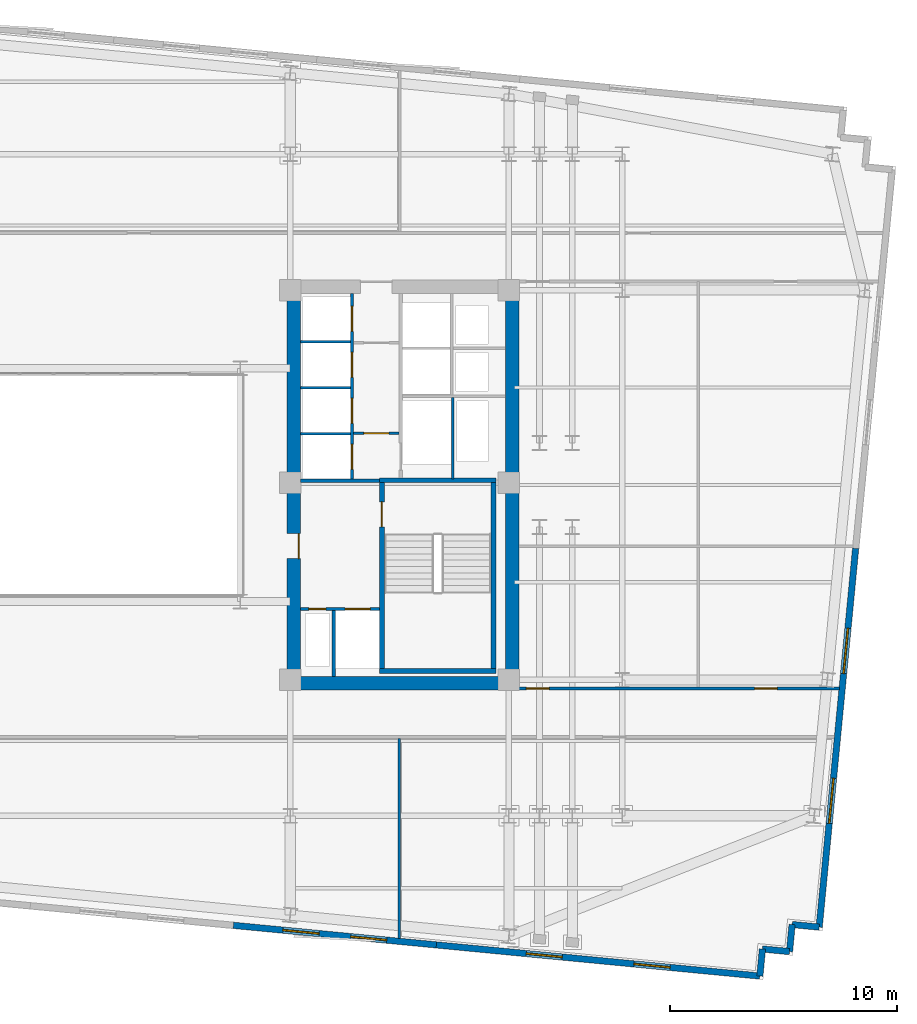
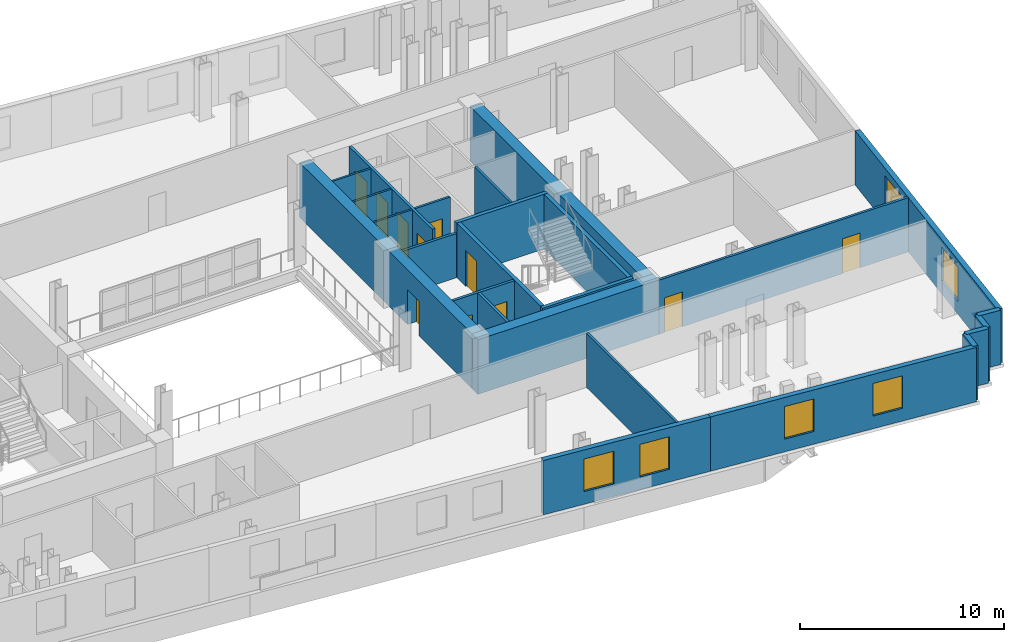
# One storey, part 6 of 11: 25 walls, 11 doors, 6 windows, 17 openings.
"""IFC4 building model written with IfcOpenShell, lengths in metres."""

from ifc_helpers import new_model, si_unit, direction, frame, frame_2d, origin, place, context, subcontext, project, spatial, rectangle, extrude, material, layer, layer_set, type_object, element, fill, save


model = new_model("IFC4")

# Units and contexts
model_context = context("Model", 3, precision=1e-05, world=origin(), true_north=direction((0.0, 1.0)))
body_context = subcontext(model_context, "Body", "Model", "MODEL_VIEW")
ifc_project = project(units=[si_unit("LENGTHUNIT", "METRE"), si_unit("AREAUNIT", "SQUARE_METRE"), si_unit("VOLUMEUNIT", "CUBIC_METRE"), si_unit("PLANEANGLEUNIT", "RADIAN"), si_unit("MASSUNIT", "GRAM", prefix="KILO")], contexts=[model_context])

# Site, building, storey
site_placement = place(None, origin())
site = spatial("IfcSite", under=ifc_project, at=site_placement, CompositionType="ELEMENT")
building_placement = place(site_placement, origin())
building = spatial("IfcBuilding", under=site, at=building_placement, Name="Velakula Bourse", CompositionType="ELEMENT")
storey_placement = place(building_placement, frame((0.0, 0.0, 160.39990234375)))
storey = spatial("IfcBuildingStorey", under=building, at=storey_placement, Name="L43", CompositionType="ELEMENT", Elevation=160.39990234375)

# Wall, opening, door
ifc_material_1 = material(Name="Concrete M50 (fck 50 MPa)", Category="concrete")
ifc_layer_1 = layer(ifc_material_1, 0.2099609375, Name="Concrete M50 (fck 50 MPa)", Category="concrete")
ifc_layer_set_1 = layer_set([ifc_layer_1], Name="Concrete M50 (fck 50 MPa)")
wall_type_1 = type_object("IfcWallType", Name="WL-CORE-210", PredefinedType="SHEAR", material=ifc_layer_set_1)
wall_1_placement = place(storey_placement, frame((12.9951171875, -8.10009765625, 0.0), z_axis=(0.0, 0.0, 1.0), x_axis=(0.0, 1.0, 0.0)))
wall_1 = element("IfcWall", 1, at=wall_1_placement, inside=storey, type_object=wall_type_1, Name="L43 Core E Stairwell Shear Wall IN", PredefinedType="SHEAR", context=body_context, shape_type="SweptSolid", body=[
    extrude(rectangle(XDim=8.2001953125, YDim=0.2099609375, at=frame_2d((4.10009765625, 0.0))), origin(), (0.0, 0.0, 1.0), 3.27001953125),
])
opening_1_placement = place(wall_1_placement, frame((6.25, 0.0, 0.0)))
opening_1 = element("IfcOpeningElement", 2, at=opening_1_placement, cuts=wall_1, Name="Opening D-STE1", PredefinedType="OPENING", context=body_context, shape_type="SweptSolid", body=[
    extrude(rectangle(XDim=1.10009765625, YDim=2.14990234375, at=frame_2d((0.550048828125, 1.074951171875))), frame((0.0, 0.114990234375, 0.0), z_axis=(0.0, -1.0, 0.0), x_axis=(1.0, 0.0, 0.0)), (0.0, 0.0, 1.0), 0.22998046875),
])
ifc_material_2 = material(Name="Galvanised painted hollow steel fire door", Category="steel")
door_type_1 = type_object("IfcDoorType", Name="DR-FD120-1100x2150", OperationType="NOTDEFINED", PredefinedType="DOOR", material=ifc_material_2)
door_1_placement = place(opening_1_placement, origin())
door_1 = element("IfcDoor", 3, at=door_1_placement, inside=storey, type_object=door_type_1, Name="L43 Stair ST-E1 Fire Door", OperationType="SINGLE_SWING_RIGHT", OverallHeight=2.14990234375, OverallWidth=1.10009765625, PredefinedType="DOOR", context=body_context, shape_type="SweptSolid", body=[
    extrude(rectangle(XDim=1.10009765625, YDim=2.14990234375, at=frame_2d((0.550048828125, 1.074951171875))), frame((0.0, 0.02490234375, 0.0), z_axis=(0.0, -1.0, 0.0), x_axis=(1.0, 0.0, 0.0)), (0.0, 0.0, 1.0), 0.050048828125),
])
fill(opening_1, door_1)

# Walls
wall_2_placement = place(storey_placement, frame((17.925048828125, -8.10009765625, 0.0), z_axis=(0.0, 0.0, 1.0), x_axis=(0.0, 1.0, 0.0)))
element("IfcWall", 4, at=wall_2_placement, inside=storey, type_object=wall_type_1, Name="L43 Core E Stairwell Shear Wall OUT", PredefinedType="SHEAR", context=body_context, shape_type="SweptSolid", body=[
    extrude(rectangle(XDim=8.2001953125, YDim=0.2099609375, at=frame_2d((4.10009765625, 0.0))), origin(), (0.0, 0.0, 1.0), 3.27001953125),
])
for number, where, z_axis, x_axis, name in (
    (5, (12.889892578125, -8.205078125, 0.0), (0.0, 0.0, 1.0), (1.0, 0.0, 0.0), "L43 Core E Stairwell Shear Wall S"),
    (6, (18.030029296875, 0.205078125, 0.0), (0.0, 0.0, 1.0), (-1.0, 0.0, 0.0), "L43 Core E Stairwell Shear Wall N"),
):
    element("IfcWall", number, at=place(storey_placement, frame(where, z_axis=z_axis, x_axis=x_axis)), inside=storey, type_object=wall_type_1, Name=name, PredefinedType="SHEAR", context=body_context, shape_type="SweptSolid", body=[
        extrude(rectangle(XDim=5.14013671875, YDim=0.2099609375, at=frame_2d((2.570068359375, 0.0))), origin(), (0.0, 0.0, 1.0), 3.27001953125),
    ])
ifc_material_3 = material(Name="Concrete M70 (fck 70 MPa)", Category="concrete")
ifc_layer_2 = layer(ifc_material_3, 0.60009765625, Name="Concrete M70 (fck 70 MPa)", Category="concrete")
ifc_layer_set_2 = layer_set([ifc_layer_2], Name="Concrete M70 (fck 70 MPa)")
wall_type_2 = type_object("IfcWallType", Name="WL-CORE-600", PredefinedType="SHEAR", material=ifc_layer_set_2)
wall_3_placement = place(storey_placement, frame((8.800048828125, -8.75, 0.0), z_axis=(0.0, 0.0, 1.0), x_axis=(1.0, 0.0, 0.0)))
element("IfcWall", 7, at=wall_3_placement, inside=storey, type_object=wall_type_2, Name="L43 Core E Shear Wall S", PredefinedType="SHEAR", context=body_context, shape_type="SweptSolid", body=[
    extrude(rectangle(XDim=10.25, YDim=0.60009765625, at=frame_2d((5.125, 0.0))), origin(), (0.0, 0.0, 1.0), 3.27001953125),
])

# Wall, opening, door
wall_4_placement = place(storey_placement, frame((9.10009765625, -8.449951171875, 0.0), z_axis=(0.0, 0.0, 1.0), x_axis=(0.0, 1.0, 0.0)))
wall_4 = element("IfcWall", 8, at=wall_4_placement, inside=storey, type_object=wall_type_2, Name="L43 Core E Shear Wall W", PredefinedType="SHEAR", context=body_context, shape_type="SweptSolid", body=[
    extrude(rectangle(XDim=16.89990234375, YDim=0.60009765625, at=frame_2d((8.449951171875, 0.0))), origin(), (0.0, 0.0, 1.0), 3.27001953125),
])
opening_2_placement = place(wall_4_placement, frame((5.199951171875, 0.0, 0.0)))
opening_2 = element("IfcOpeningElement", 9, at=opening_2_placement, cuts=wall_4, Name="Opening D-FLE", PredefinedType="OPENING", context=body_context, shape_type="SweptSolid", body=[
    extrude(rectangle(XDim=1.10009765625, YDim=2.080078125, at=frame_2d((0.550048828125, 1.0400390625))), frame((0.0, 0.31005859375, 0.0), z_axis=(0.0, -1.0, 0.0), x_axis=(1.0, 0.0, 0.0)), (0.0, 0.0, 1.0), 0.6201171875),
])
door_type_2 = type_object("IfcDoorType", Name="DR-FD120-1100", OperationType="NOTDEFINED", PredefinedType="DOOR", material=ifc_material_2)
door_2_placement = place(opening_2_placement, origin())
door_2 = element("IfcDoor", 10, at=door_2_placement, inside=storey, type_object=door_type_2, Name="L43 Firefighting Lobby E Corridor Fire Door", OperationType="SINGLE_SWING_RIGHT", OverallHeight=2.080078125, OverallWidth=1.10009765625, PredefinedType="DOOR", context=body_context, shape_type="SweptSolid", body=[
    extrude(rectangle(XDim=1.10009765625, YDim=2.080078125, at=frame_2d((0.550048828125, 1.0400390625))), frame((0.0, -0.205078125, 0.0), z_axis=(0.0, -1.0, 0.0), x_axis=(1.0, 0.0, 0.0)), (0.0, 0.0, 1.0), 0.050048828125),
])
fill(opening_2, door_2)

# Wall
wall_5_placement = place(storey_placement, frame((18.75, -8.449951171875, 0.0), z_axis=(0.0, 0.0, 1.0), x_axis=(0.0, 1.0, 0.0)))
element("IfcWall", 11, at=wall_5_placement, inside=storey, type_object=wall_type_2, Name="L43 Core E Shear Wall E", PredefinedType="SHEAR", context=body_context, shape_type="SweptSolid", body=[
    extrude(rectangle(XDim=16.89990234375, YDim=0.60009765625, at=frame_2d((8.449951171875, 0.0))), origin(), (0.0, 0.0, 1.0), 3.27001953125),
])

# Wall, openings, windows
ifc_material_4 = material(Name="Red kilned clay facing brick masonry", Category="masonry")
ifc_layer_3 = layer(ifc_material_4, 0.280029296875, Name="Red kilned clay facing brick masonry", Category="masonry")
ifc_layer_set_3 = layer_set([ifc_layer_3], Name="Red kilned clay facing brick masonry")
wall_type_3 = type_object("IfcWallType", Name="WL-EXT-BRK-280", PredefinedType="STANDARD", material=ifc_layer_set_3)
wall_6_placement = place(storey_placement, frame((15.398681640625, -20.295654296875, 0.0), z_axis=(0.0, 0.0, 1.0), x_axis=(-0.995394455533, 0.09586385082, 0.0)))
wall_6 = element("IfcWall", 12, at=wall_6_placement, inside=storey, type_object=wall_type_3, Name="L43 S Brick Spandrel Wall B4", PredefinedType="STANDARD", context=body_context, shape_type="SweptSolid", body=[
    extrude(rectangle(XDim=9.000244140625, YDim=0.280029296875, at=frame_2d((4.5, 0.0))), origin(), (0.0, 0.0, 1.0), 3.25),
])
opening_3_placement = place(wall_6_placement, frame((2.199951171875, 0.0, 0.760009765625)))
opening_3 = element("IfcOpeningElement", 13, at=opening_3_placement, cuts=wall_6, Name="Opening W-02", PredefinedType="OPENING", context=body_context, shape_type="SweptSolid", body=[
    extrude(rectangle(XDim=1.60009765625, YDim=1.949951171875, at=frame_2d((0.800048828125, 0.97509765625))), frame((0.0, 0.14990234375, 0.0), z_axis=(0.0, -1.0, 0.0), x_axis=(1.0, 0.0, 0.0)), (0.0, 0.0, 1.0), 0.300048828125),
])
opening_4_placement = place(wall_6_placement, frame((5.199951171875, 0.0, 0.760009765625)))
opening_4 = element("IfcOpeningElement", 14, at=opening_4_placement, cuts=wall_6, Name="Opening W-02", PredefinedType="OPENING", context=body_context, shape_type="SweptSolid", body=[
    extrude(rectangle(XDim=1.60009765625, YDim=1.949951171875, at=frame_2d((0.800048828125, 0.97509765625))), frame((0.0, 0.14990234375, 0.0), z_axis=(0.0, -1.0, 0.0), x_axis=(1.0, 0.0, 0.0)), (0.0, 0.0, 1.0), 0.300048828125),
])
ifc_material_5 = material(Name="Double-glazed solar-control Low-E glass", Category="glass")
window_type_1 = type_object("IfcWindowType", Name="WIN-TWR-1600x2100", PartitioningType="SINGLE_PANEL", PredefinedType="WINDOW", material=ifc_material_5)
window_1_placement = place(opening_3_placement, origin())
window_1 = element("IfcWindow", 15, at=window_1_placement, inside=storey, type_object=window_type_1, Name="L43 Deep-Set Recessed Window 1", OverallHeight=1.949951171875, OverallWidth=1.60009765625, PartitioningType="SINGLE_PANEL", PredefinedType="WINDOW", context=body_context, shape_type="SweptSolid", body=[
    extrude(rectangle(XDim=1.60009765625, YDim=1.949951171875, at=frame_2d((0.800048828125, 0.97509765625))), frame((0.0, 0.030029296875, 0.0), z_axis=(0.0, -1.0, 0.0), x_axis=(1.0, 0.0, 0.0)), (0.0, 0.0, 1.0), 0.06005859375),
])
fill(opening_3, window_1)
window_2_placement = place(opening_4_placement, origin())
window_2 = element("IfcWindow", 16, at=window_2_placement, inside=storey, type_object=window_type_1, Name="L43 Deep-Set Recessed Window 2", OverallHeight=1.949951171875, OverallWidth=1.60009765625, PartitioningType="SINGLE_PANEL", PredefinedType="WINDOW", context=body_context, shape_type="SweptSolid", body=[
    extrude(rectangle(XDim=1.60009765625, YDim=1.949951171875, at=frame_2d((0.800048828125, 0.97509765625))), frame((0.0, 0.030029296875, 0.0), z_axis=(0.0, -1.0, 0.0), x_axis=(1.0, 0.0, 0.0)), (0.0, 0.0, 1.0), 0.06005859375),
])
fill(opening_4, window_2)

wall_7_placement = place(storey_placement, frame((29.672607421875, -21.669921875, 0.0), z_axis=(0.0, 0.0, 1.0), x_axis=(-0.995397230529, 0.095835032509, 0.0)))
wall_7 = element("IfcWall", 17, at=wall_7_placement, inside=storey, type_object=wall_type_3, Name="L43 S Brick Spandrel Wall B5", PredefinedType="STANDARD", context=body_context, shape_type="SweptSolid", body=[
    extrude(rectangle(XDim=14.33984375, YDim=0.280029296875, at=frame_2d((7.169921875, 0.0))), origin(), (0.0, 0.0, 1.0), 3.25),
])
opening_5_placement = place(wall_7_placement, frame((3.97998046875, 0.0, 0.760009765625)))
opening_5 = element("IfcOpeningElement", 18, at=opening_5_placement, cuts=wall_7, Name="Opening W-02", PredefinedType="OPENING", context=body_context, shape_type="SweptSolid", body=[
    extrude(rectangle(XDim=1.60009765625, YDim=1.949951171875, at=frame_2d((0.800048828125, 0.97509765625))), frame((0.0, 0.14990234375, 0.0), z_axis=(0.0, -1.0, 0.0), x_axis=(1.0, 0.0, 0.0)), (0.0, 0.0, 1.0), 0.300048828125),
])
opening_6_placement = place(wall_7_placement, frame((8.760009765625, 0.0, 0.760009765625)))
opening_6 = element("IfcOpeningElement", 19, at=opening_6_placement, cuts=wall_7, Name="Opening W-02", PredefinedType="OPENING", context=body_context, shape_type="SweptSolid", body=[
    extrude(rectangle(XDim=1.60009765625, YDim=1.949951171875, at=frame_2d((0.800048828125, 0.97509765625))), frame((0.0, 0.14990234375, 0.0), z_axis=(0.0, -1.0, 0.0), x_axis=(1.0, 0.0, 0.0)), (0.0, 0.0, 1.0), 0.300048828125),
])
window_3_placement = place(opening_5_placement, origin())
window_3 = element("IfcWindow", 20, at=window_3_placement, inside=storey, type_object=window_type_1, Name="L43 Deep-Set Recessed Window 1", OverallHeight=1.949951171875, OverallWidth=1.60009765625, PartitioningType="SINGLE_PANEL", PredefinedType="WINDOW", context=body_context, shape_type="SweptSolid", body=[
    extrude(rectangle(XDim=1.60009765625, YDim=1.949951171875, at=frame_2d((0.800048828125, 0.97509765625))), frame((0.0, 0.030029296875, 0.0), z_axis=(0.0, -1.0, 0.0), x_axis=(1.0, 0.0, 0.0)), (0.0, 0.0, 1.0), 0.06005859375),
])
fill(opening_5, window_3)
window_4_placement = place(opening_6_placement, origin())
window_4 = element("IfcWindow", 21, at=window_4_placement, inside=storey, type_object=window_type_1, Name="L43 Deep-Set Recessed Window 2", OverallHeight=1.949951171875, OverallWidth=1.60009765625, PartitioningType="SINGLE_PANEL", PredefinedType="WINDOW", context=body_context, shape_type="SweptSolid", body=[
    extrude(rectangle(XDim=1.60009765625, YDim=1.949951171875, at=frame_2d((0.800048828125, 0.97509765625))), frame((0.0, 0.030029296875, 0.0), z_axis=(0.0, -1.0, 0.0), x_axis=(1.0, 0.0, 0.0)), (0.0, 0.0, 1.0), 0.06005859375),
])
fill(opening_6, window_4)

wall_8_placement = place(storey_placement, frame((33.90087890625, -2.79833984375, 0.0), z_axis=(0.0, 0.0, 1.0), x_axis=(-0.095853434568, -0.99539545864, 0.0)))
wall_8 = element("IfcWall", 22, at=wall_8_placement, inside=storey, type_object=wall_type_3, Name="L43 E Brick End Wall W1", PredefinedType="STANDARD", context=body_context, shape_type="SweptSolid", body=[
    extrude(rectangle(XDim=16.7900390625, YDim=0.280029296875, at=frame_2d((8.39501953125, 0.0))), origin(), (0.0, 0.0, 1.0), 3.25),
])
opening_7_placement = place(wall_8_placement, frame((3.546630859375, 0.0, 0.760009765625)))
opening_7 = element("IfcOpeningElement", 23, at=opening_7_placement, cuts=wall_8, Name="Opening W-05", PredefinedType="OPENING", context=body_context, shape_type="SweptSolid", body=[
    extrude(rectangle(XDim=2.0, YDim=2.050048828125, at=frame_2d((1.0, 1.02490234375))), frame((0.0, 0.14990234375, 0.0), z_axis=(0.0, -1.0, 0.0), x_axis=(1.0, 0.0, 0.0)), (0.0, 0.0, 1.0), 0.300048828125),
])
opening_8_placement = place(wall_8_placement, frame((10.193359375, 0.0, 0.760009765625)))
opening_8 = element("IfcOpeningElement", 24, at=opening_8_placement, cuts=wall_8, Name="Opening W-05", PredefinedType="OPENING", context=body_context, shape_type="SweptSolid", body=[
    extrude(rectangle(XDim=2.0, YDim=2.050048828125, at=frame_2d((1.0, 1.02490234375))), frame((0.0, 0.14990234375, 0.0), z_axis=(0.0, -1.0, 0.0), x_axis=(1.0, 0.0, 0.0)), (0.0, 0.0, 1.0), 0.300048828125),
])
window_type_2 = type_object("IfcWindowType", Name="WIN-TWR-2000x2200", PartitioningType="DOUBLE_PANEL_VERTICAL", PredefinedType="WINDOW", material=ifc_material_5)
window_5_placement = place(opening_7_placement, origin())
window_5 = element("IfcWindow", 25, at=window_5_placement, inside=storey, type_object=window_type_2, Name="L43 Deep-Set Recessed Window 1", OverallHeight=2.050048828125, OverallWidth=2.0, PartitioningType="DOUBLE_PANEL_VERTICAL", PredefinedType="WINDOW", context=body_context, shape_type="SweptSolid", body=[
    extrude(rectangle(XDim=2.0, YDim=2.050048828125, at=frame_2d((1.0, 1.02490234375))), frame((0.0, 0.030029296875, 0.0), z_axis=(0.0, -1.0, 0.0), x_axis=(1.0, 0.0, 0.0)), (0.0, 0.0, 1.0), 0.06005859375),
])
fill(opening_7, window_5)
window_6_placement = place(opening_8_placement, origin())
window_6 = element("IfcWindow", 26, at=window_6_placement, inside=storey, type_object=window_type_2, Name="L43 Deep-Set Recessed Window 2", OverallHeight=2.050048828125, OverallWidth=2.0, PartitioningType="DOUBLE_PANEL_VERTICAL", PredefinedType="WINDOW", context=body_context, shape_type="SweptSolid", body=[
    extrude(rectangle(XDim=2.0, YDim=2.050048828125, at=frame_2d((1.0, 1.02490234375))), frame((0.0, 0.030029296875, 0.0), z_axis=(0.0, -1.0, 0.0), x_axis=(1.0, 0.0, 0.0)), (0.0, 0.0, 1.0), 0.06005859375),
])
fill(opening_8, window_6)

# Walls
for number, where, z_axis, x_axis, name in (
    (27, (29.672607421875, -21.669921875, 0.0), (0.0, 0.0, 1.0), (0.095836473879, 0.995397091755, 0.0), "L43 Serrated Corner Brick Wall SE-1"),
    (28, (29.78759765625, -20.4755859375, 0.0), (0.0, 0.0, 1.0), (0.995397091755, -0.095836473879, 0.0), "L43 Serrated Corner Brick Wall SE-2"),
):
    element("IfcWall", number, at=place(storey_placement, frame(where, z_axis=z_axis, x_axis=x_axis)), inside=storey, type_object=wall_type_3, Name=name, PredefinedType="STANDARD", context=body_context, shape_type="SweptSolid", body=[
        extrude(rectangle(XDim=1.199951171875, YDim=0.280029296875, at=frame_2d((0.60009765625, 0.0))), origin(), (0.0, 0.0, 1.0), 3.25),
    ])
wall_9_placement = place(storey_placement, frame((30.98193359375, -20.590576171875, 0.0), z_axis=(0.0, 0.0, 1.0), x_axis=(0.096018626938, 0.995379537303, 0.0)))
element("IfcWall", 29, at=wall_9_placement, inside=storey, type_object=wall_type_3, Name="L43 Serrated Corner Brick Wall SE-3", PredefinedType="STANDARD", context=body_context, shape_type="SweptSolid", body=[
    extrude(rectangle(XDim=1.2001953125, YDim=0.280029296875, at=frame_2d((0.60009765625, 0.0))), origin(), (0.0, 0.0, 1.0), 3.25),
])
wall_10_placement = place(storey_placement, frame((31.09716796875, -19.39599609375, 0.0), z_axis=(0.0, 0.0, 1.0), x_axis=(0.995397091755, -0.095836473879, 0.0)))
element("IfcWall", 30, at=wall_10_placement, inside=storey, type_object=wall_type_3, Name="L43 Serrated Corner Brick Wall SE-4", PredefinedType="STANDARD", context=body_context, shape_type="SweptSolid", body=[
    extrude(rectangle(XDim=1.199951171875, YDim=0.280029296875, at=frame_2d((0.60009765625, 0.0))), origin(), (0.0, 0.0, 1.0), 3.25),
])

# Wall, opening, door
ifc_material_6 = material(Name="Fire-rated double-layer gypsum drywall partition", Category="gypsum")
ifc_layer_4 = layer(ifc_material_6, 0.1201171875, Name="Fire-rated double-layer gypsum drywall partition", Category="gypsum")
ifc_layer_set_4 = layer_set([ifc_layer_4], Name="Fire-rated double-layer gypsum drywall partition")
wall_type_4 = type_object("IfcWallType", Name="WL-PART-120", PredefinedType="STANDARD", material=ifc_layer_set_4)
wall_11_placement = place(storey_placement, frame((11.75, 2.280029296875, 0.0), z_axis=(0.0, 0.0, 1.0), x_axis=(1.0, 0.0, 0.0)))
wall_11 = element("IfcWall", 31, at=wall_11_placement, inside=storey, type_object=wall_type_4, Name="L43 Interior Partition WL-CRE-L43-LL-K3A", PredefinedType="STANDARD", context=body_context, shape_type="SweptSolid", body=[
    extrude(rectangle(XDim=2.0, YDim=0.1201171875, at=frame_2d((1.0, 0.0))), origin(), (0.0, 0.0, 1.0), 3.25),
])
opening_9_placement = place(wall_11_placement, frame((0.449951171875, 0.0, 0.0)))
opening_9 = element("IfcOpeningElement", 32, at=opening_9_placement, cuts=wall_11, Name="Opening D-LK3", PredefinedType="OPENING", context=body_context, shape_type="SweptSolid", body=[
    extrude(rectangle(XDim=1.10009765625, YDim=2.10009765625, at=frame_2d((0.550048828125, 1.050048828125))), frame((0.0, 0.070068359375, 0.0), z_axis=(0.0, -1.0, 0.0), x_axis=(1.0, 0.0, 0.0)), (0.0, 0.0, 1.0), 0.14013671875),
])
ifc_material_7 = material(Name="Fire-rated hardwood flush architectural door", Category="wood")
door_type_3 = type_object("IfcDoorType", Name="DR-FD60-1100x2100", OperationType="NOTDEFINED", PredefinedType="DOOR", material=ifc_material_7)
door_3_placement = place(opening_9_placement, origin())
door_3 = element("IfcDoor", 33, at=door_3_placement, inside=storey, type_object=door_type_3, Name="L43 Core E Lift Lobby Vestibule Door A", OperationType="SINGLE_SWING_RIGHT", OverallHeight=2.10009765625, OverallWidth=1.10009765625, PredefinedType="DOOR", context=body_context, shape_type="SweptSolid", body=[
    extrude(rectangle(XDim=1.10009765625, YDim=2.10009765625, at=frame_2d((0.550048828125, 1.050048828125))), frame((0.0, 0.02490234375, 0.0), z_axis=(0.0, -1.0, 0.0), x_axis=(1.0, 0.0, 0.0)), (0.0, 0.0, 1.0), 0.050048828125),
])
fill(opening_9, door_3)

# Walls
for number, where, z_axis, x_axis, name in (
    (34, (9.39990234375, 2.2548828125, 0.0), (0.0, 0.0, 1.0), (1.0, 0.0, 0.0), "L43 Interior Partition WL-CRE-L43-BDIV-0"),
    (35, (9.39990234375, 4.284912109375, 0.0), (0.0, 0.0, 1.0), (1.0, 0.0, 0.0), "L43 Interior Partition WL-CRE-L43-BDIV-1"),
    (36, (9.39990234375, 6.31494140625, 0.0), (0.0, 0.0, 1.0), (1.0, 0.0, 0.0), "L43 Interior Partition WL-CRE-L43-BDIV-2"),
):
    element("IfcWall", number, at=place(storey_placement, frame(where, z_axis=z_axis, x_axis=x_axis)), inside=storey, type_object=wall_type_4, Name=name, PredefinedType="STANDARD", context=body_context, shape_type="SweptSolid", body=[
        extrude(rectangle(XDim=2.2001953125, YDim=0.110107421875, at=frame_2d((1.10009765625, 0.0))), origin(), (0.0, 0.0, 1.0), 3.25),
    ])
wall_12_placement = place(storey_placement, frame((16.125, 0.27001953125, 0.0), z_axis=(0.0, 0.0, 1.0), x_axis=(0.0, 1.0, 0.0)))
element("IfcWall", 37, at=wall_12_placement, inside=storey, type_object=wall_type_4, Name="L43 Interior Partition WL-CRE-L43-SVL-E", PredefinedType="STANDARD", context=body_context, shape_type="SweptSolid", body=[
    extrude(rectangle(XDim=3.590087890625, YDim=0.1201171875, at=frame_2d((1.794921875, 0.0))), origin(), (0.0, 0.0, 1.0), 3.25),
])
wall_13_placement = place(storey_placement, frame((13.76611328125, -20.017822265625, 0.0), z_axis=(0.0, 0.0, 1.0), x_axis=(0.0, 1.0, 0.0)))
element("IfcWall", 38, at=wall_13_placement, inside=storey, type_object=wall_type_4, Name="L43 Interior Partition WL-INT-L43-SR-D6", PredefinedType="STANDARD", context=body_context, shape_type="SweptSolid", body=[
    extrude(rectangle(XDim=8.827880859375, YDim=0.1201171875, at=frame_2d((4.4140625, 0.0))), origin(), (0.0, 0.0, 1.0), 3.25),
])

# Wall, openings, doors
ifc_layer_5 = layer(ifc_material_6, 0.139892578125, Name="Fire-rated double-layer gypsum drywall partition", Category="gypsum")
ifc_layer_set_5 = layer_set([ifc_layer_5], Name="Fire-rated double-layer gypsum drywall partition")
wall_type_5 = type_object("IfcWallType", Name="WL-PART-140", PredefinedType="STANDARD", material=ifc_layer_set_5)
wall_14_placement = place(storey_placement, frame((19.050048828125, -8.97998046875, 0.0), z_axis=(0.0, 0.0, 1.0), x_axis=(1.0, 0.0, 0.0)))
wall_14 = element("IfcWall", 39, at=wall_14_placement, inside=storey, type_object=wall_type_5, Name="L43 Interior Partition WL-INT-L43-E-SC", PredefinedType="STANDARD", context=body_context, shape_type="SweptSolid", body=[
    extrude(rectangle(XDim=14.135009765625, YDim=0.139892578125, at=frame_2d((7.0673828125, 0.0))), origin(), (0.0, 0.0, 1.0), 3.25),
])
opening_10_placement = place(wall_14_placement, frame((0.320068359375, 0.0, 0.0)))
opening_10 = element("IfcOpeningElement", 40, at=opening_10_placement, cuts=wall_14, Name="Opening D-OF1", PredefinedType="OPENING", context=body_context, shape_type="SweptSolid", body=[
    extrude(rectangle(XDim=1.0, YDim=2.080078125, at=frame_2d((0.5, 1.0400390625))), frame((0.0, 0.079833984375, 0.0), z_axis=(0.0, -1.0, 0.0), x_axis=(1.0, 0.0, 0.0)), (0.0, 0.0, 1.0), 0.159912109375),
])
opening_11_placement = place(wall_14_placement, frame((10.388427734375, 0.0, 0.0)))
opening_11 = element("IfcOpeningElement", 41, at=opening_11_placement, cuts=wall_14, Name="Opening D-OF1", PredefinedType="OPENING", context=body_context, shape_type="SweptSolid", body=[
    extrude(rectangle(XDim=1.0, YDim=2.080078125, at=frame_2d((0.5, 1.0400390625))), frame((0.0, 0.079833984375, 0.0), z_axis=(0.0, -1.0, 0.0), x_axis=(1.0, 0.0, 0.0)), (0.0, 0.0, 1.0), 0.159912109375),
])
door_type_4 = type_object("IfcDoorType", Name="DR-OFF-1000", OperationType="NOTDEFINED", PredefinedType="DOOR", material=ifc_material_7)
door_4_placement = place(opening_10_placement, origin())
door_4 = element("IfcDoor", 42, at=door_4_placement, inside=storey, type_object=door_type_4, Name="L43 General Counsel Office Door", OperationType="SINGLE_SWING_LEFT", OverallHeight=2.080078125, OverallWidth=1.0, PredefinedType="DOOR", context=body_context, shape_type="SweptSolid", body=[
    extrude(rectangle(XDim=1.0, YDim=2.080078125, at=frame_2d((0.5, 1.0400390625))), frame((0.0, 0.02490234375, 0.0), z_axis=(0.0, -1.0, 0.0), x_axis=(1.0, 0.0, 0.0)), (0.0, 0.0, 1.0), 0.050048828125),
])
fill(opening_10, door_4)
door_5_placement = place(opening_11_placement, origin())
door_5 = element("IfcDoor", 43, at=door_5_placement, inside=storey, type_object=door_type_4, Name="L43 Risk Review Boardroom Door", OperationType="SINGLE_SWING_RIGHT", OverallHeight=2.080078125, OverallWidth=1.0, PredefinedType="DOOR", context=body_context, shape_type="SweptSolid", body=[
    extrude(rectangle(XDim=1.0, YDim=2.080078125, at=frame_2d((0.5, 1.0400390625))), frame((0.0, 0.02490234375, 0.0), z_axis=(0.0, -1.0, 0.0), x_axis=(1.0, 0.0, 0.0)), (0.0, 0.0, 1.0), 0.050048828125),
])
fill(opening_11, door_5)

ifc_material_8 = material(Name="Autoclaved aerated concrete blockwork masonry", Category="masonry")
ifc_layer_6 = layer(ifc_material_8, 0.14990234375, Name="Autoclaved aerated concrete blockwork masonry", Category="masonry")
ifc_layer_set_6 = layer_set([ifc_layer_6], Name="Autoclaved aerated concrete blockwork masonry")
wall_type_6 = type_object("IfcWallType", Name="WL-SHAFT-150", PredefinedType="STANDARD", material=ifc_layer_set_6)
wall_15_placement = place(storey_placement, frame((9.39990234375, -5.47509765625, 0.0), z_axis=(0.0, 0.0, 1.0), x_axis=(1.0, 0.0, 0.0)))
wall_15 = element("IfcWall", 44, at=wall_15_placement, inside=storey, type_object=wall_type_6, Name="L43 Interior Partition WL-CRE-L43-FFL-N", PredefinedType="STANDARD", context=body_context, shape_type="SweptSolid", body=[
    extrude(rectangle(XDim=3.4951171875, YDim=0.14990234375, at=frame_2d((1.74755859375, 0.0))), origin(), (0.0, 0.0, 1.0), 3.25),
])
opening_12_placement = place(wall_15_placement, frame((1.97509765625, 0.0, 0.0)))
opening_12 = element("IfcOpeningElement", 45, at=opening_12_placement, cuts=wall_15, Name="Opening LD-FFL-2", PredefinedType="OPENING", context=body_context, shape_type="SweptSolid", body=[
    extrude(rectangle(XDim=1.10009765625, YDim=2.14990234375, at=frame_2d((0.550048828125, 1.074951171875))), frame((0.0, 0.0849609375, 0.0), z_axis=(0.0, -1.0, 0.0), x_axis=(1.0, 0.0, 0.0)), (0.0, 0.0, 1.0), 0.169921875),
])
opening_13_placement = place(wall_15_placement, frame((0.375, 0.0, 0.0)))
opening_13 = element("IfcOpeningElement", 46, at=opening_13_placement, cuts=wall_15, Name="Opening D-RS1", PredefinedType="OPENING", context=body_context, shape_type="SweptSolid", body=[
    extrude(rectangle(XDim=0.75, YDim=2.050048828125, at=frame_2d((0.375, 1.02490234375))), frame((0.0, 0.0849609375, 0.0), z_axis=(0.0, -1.0, 0.0), x_axis=(1.0, 0.0, 0.0)), (0.0, 0.0, 1.0), 0.169921875),
])
door_type_5 = type_object("IfcDoorType", Name="DR-RISER-800", OperationType="NOTDEFINED", PredefinedType="DOOR", material=ifc_material_2)
door_6_placement = place(opening_13_placement, origin())
door_6 = element("IfcDoor", 47, at=door_6_placement, inside=storey, type_object=door_type_5, Name="L43 Fire Riser Access Door", OperationType="SINGLE_SWING_LEFT", OverallHeight=2.050048828125, OverallWidth=0.75, PredefinedType="DOOR", context=body_context, shape_type="SweptSolid", body=[
    extrude(rectangle(XDim=0.75, YDim=2.050048828125, at=frame_2d((0.375, 1.02490234375))), frame((0.0, 0.02490234375, 0.0), z_axis=(0.0, -1.0, 0.0), x_axis=(1.0, 0.0, 0.0)), (0.0, 0.0, 1.0), 0.050048828125),
])
fill(opening_13, door_6)
ifc_material_9 = material(Name="Brushed grade 316 stainless steel", Category="steel")
door_type_6 = type_object("IfcDoorType", Name="DR-SLIDE-FFL-1100", OperationType="DOUBLE_DOOR_SLIDING", PredefinedType="DOOR", material=ifc_material_9)
door_7_placement = place(opening_12_placement, origin())
door_7 = element("IfcDoor", 48, at=door_7_placement, inside=storey, type_object=door_type_6, Name="L43 Firefighting Lift FFL-2 Sliding Landing Door", OperationType="DOUBLE_DOOR_SLIDING", OverallHeight=2.14990234375, OverallWidth=1.10009765625, PredefinedType="DOOR", context=body_context, shape_type="SweptSolid", body=[
    extrude(rectangle(XDim=1.10009765625, YDim=2.14990234375, at=frame_2d((0.550048828125, 1.074951171875))), frame((0.0, 0.02490234375, 0.0), z_axis=(0.0, -1.0, 0.0), x_axis=(1.0, 0.0, 0.0)), (0.0, 0.0, 1.0), 0.050048828125),
])
fill(opening_12, door_7)

# Walls
wall_16_placement = place(storey_placement, frame((10.875, -8.449951171875, 0.0), z_axis=(0.0, 0.0, 1.0), x_axis=(0.0, 1.0, 0.0)))
element("IfcWall", 49, at=wall_16_placement, inside=storey, type_object=wall_type_6, Name="L43 Interior Partition WL-CRE-L43-FR-DIV", PredefinedType="STANDARD", context=body_context, shape_type="SweptSolid", body=[
    extrude(rectangle(XDim=2.89990234375, YDim=0.14990234375, at=frame_2d((1.449951171875, 0.0))), origin(), (0.0, 0.0, 1.0), 3.25),
])
wall_17_placement = place(storey_placement, frame((9.39990234375, 0.18994140625, 0.0), z_axis=(0.0, 0.0, 1.0), x_axis=(1.0, 0.0, 0.0)))
element("IfcWall", 50, at=wall_17_placement, inside=storey, type_object=wall_type_6, Name="L43 Interior Partition WL-CRE-L43-FF-TOP", PredefinedType="STANDARD", context=body_context, shape_type="SweptSolid", body=[
    extrude(rectangle(XDim=3.489990234375, YDim=0.14990234375, at=frame_2d((1.7451171875, 0.0))), origin(), (0.0, 0.0, 1.0), 2.64501953125),
])

# Wall, openings, doors
wall_18_placement = place(storey_placement, frame((11.675048828125, 0.27001953125, 0.0), z_axis=(0.0, 0.0, 1.0), x_axis=(0.0, 1.0, 0.0)))
wall_18 = element("IfcWall", 51, at=wall_18_placement, inside=storey, type_object=wall_type_6, Name="L43 Interior Partition WL-CRE-L43-BANK-F", PredefinedType="STANDARD", context=body_context, shape_type="SweptSolid", body=[
    extrude(rectangle(XDim=8.179931640625, YDim=0.14990234375, at=frame_2d((4.08984375, 0.0))), origin(), (0.0, 0.0, 1.0), 3.25),
])
opening_14_placement = place(wall_18_placement, frame((0.419921875, 0.0, 0.0)))
opening_14 = element("IfcOpeningElement", 52, at=opening_14_placement, cuts=wall_18, Name="Opening LD-P5", PredefinedType="OPENING", context=body_context, shape_type="SweptSolid", body=[
    extrude(rectangle(XDim=1.10009765625, YDim=2.10009765625, at=frame_2d((0.550048828125, 1.050048828125))), frame((0.0, 0.0849609375, 0.0), z_axis=(0.0, -1.0, 0.0), x_axis=(1.0, 0.0, 0.0)), (0.0, 0.0, 1.0), 0.169921875),
])
opening_15_placement = place(wall_18_placement, frame((2.449951171875, 0.0, 0.0)))
opening_15 = element("IfcOpeningElement", 53, at=opening_15_placement, cuts=wall_18, Name="Opening LD-P6", PredefinedType="OPENING", context=body_context, shape_type="SweptSolid", body=[
    extrude(rectangle(XDim=1.10009765625, YDim=2.10009765625, at=frame_2d((0.550048828125, 1.050048828125))), frame((0.0, 0.0849609375, 0.0), z_axis=(0.0, -1.0, 0.0), x_axis=(1.0, 0.0, 0.0)), (0.0, 0.0, 1.0), 0.169921875),
])
opening_16_placement = place(wall_18_placement, frame((4.47998046875, 0.0, 0.0)))
opening_16 = element("IfcOpeningElement", 54, at=opening_16_placement, cuts=wall_18, Name="Opening LD-P7", PredefinedType="OPENING", context=body_context, shape_type="SweptSolid", body=[
    extrude(rectangle(XDim=1.10009765625, YDim=2.10009765625, at=frame_2d((0.550048828125, 1.050048828125))), frame((0.0, 0.0849609375, 0.0), z_axis=(0.0, -1.0, 0.0), x_axis=(1.0, 0.0, 0.0)), (0.0, 0.0, 1.0), 0.169921875),
])
opening_17_placement = place(wall_18_placement, frame((6.510009765625, 0.0, 0.0)))
opening_17 = element("IfcOpeningElement", 55, at=opening_17_placement, cuts=wall_18, Name="Opening LD-P8", PredefinedType="OPENING", context=body_context, shape_type="SweptSolid", body=[
    extrude(rectangle(XDim=1.10009765625, YDim=2.10009765625, at=frame_2d((0.550048828125, 1.050048828125))), frame((0.0, 0.0849609375, 0.0), z_axis=(0.0, -1.0, 0.0), x_axis=(1.0, 0.0, 0.0)), (0.0, 0.0, 1.0), 0.169921875),
])
door_type_7 = type_object("IfcDoorType", Name="DR-SLIDE-LD-1100", OperationType="DOUBLE_DOOR_SLIDING", PredefinedType="DOOR", material=ifc_material_9)
door_8_placement = place(opening_14_placement, origin())
door_8 = element("IfcDoor", 56, at=door_8_placement, inside=storey, type_object=door_type_7, Name="L43 Passenger Lift P5 Sliding Landing Door", OperationType="DOUBLE_DOOR_SLIDING", OverallHeight=2.10009765625, OverallWidth=1.10009765625, PredefinedType="DOOR", context=body_context, shape_type="SweptSolid", body=[
    extrude(rectangle(XDim=1.10009765625, YDim=2.10009765625, at=frame_2d((0.550048828125, 1.050048828125))), frame((0.0, 0.02490234375, 0.0), z_axis=(0.0, -1.0, 0.0), x_axis=(1.0, 0.0, 0.0)), (0.0, 0.0, 1.0), 0.050048828125),
])
fill(opening_14, door_8)
door_9_placement = place(opening_15_placement, origin())
door_9 = element("IfcDoor", 57, at=door_9_placement, inside=storey, type_object=door_type_7, Name="L43 Passenger Lift P6 Sliding Landing Door", OperationType="DOUBLE_DOOR_SLIDING", OverallHeight=2.10009765625, OverallWidth=1.10009765625, PredefinedType="DOOR", context=body_context, shape_type="SweptSolid", body=[
    extrude(rectangle(XDim=1.10009765625, YDim=2.10009765625, at=frame_2d((0.550048828125, 1.050048828125))), frame((0.0, 0.02490234375, 0.0), z_axis=(0.0, -1.0, 0.0), x_axis=(1.0, 0.0, 0.0)), (0.0, 0.0, 1.0), 0.050048828125),
])
fill(opening_15, door_9)
door_10_placement = place(opening_16_placement, origin())
door_10 = element("IfcDoor", 58, at=door_10_placement, inside=storey, type_object=door_type_7, Name="L43 Passenger Lift P7 Sliding Landing Door", OperationType="DOUBLE_DOOR_SLIDING", OverallHeight=2.10009765625, OverallWidth=1.10009765625, PredefinedType="DOOR", context=body_context, shape_type="SweptSolid", body=[
    extrude(rectangle(XDim=1.10009765625, YDim=2.10009765625, at=frame_2d((0.550048828125, 1.050048828125))), frame((0.0, 0.02490234375, 0.0), z_axis=(0.0, -1.0, 0.0), x_axis=(1.0, 0.0, 0.0)), (0.0, 0.0, 1.0), 0.050048828125),
])
fill(opening_16, door_10)
door_11_placement = place(opening_17_placement, origin())
door_11 = element("IfcDoor", 59, at=door_11_placement, inside=storey, type_object=door_type_7, Name="L43 Passenger Lift P8 Sliding Landing Door", OperationType="DOUBLE_DOOR_SLIDING", OverallHeight=2.10009765625, OverallWidth=1.10009765625, PredefinedType="DOOR", context=body_context, shape_type="SweptSolid", body=[
    extrude(rectangle(XDim=1.10009765625, YDim=2.10009765625, at=frame_2d((0.550048828125, 1.050048828125))), frame((0.0, 0.02490234375, 0.0), z_axis=(0.0, -1.0, 0.0), x_axis=(1.0, 0.0, 0.0)), (0.0, 0.0, 1.0), 0.050048828125),
])
fill(opening_17, door_11)

save(model, "model.ifc")
